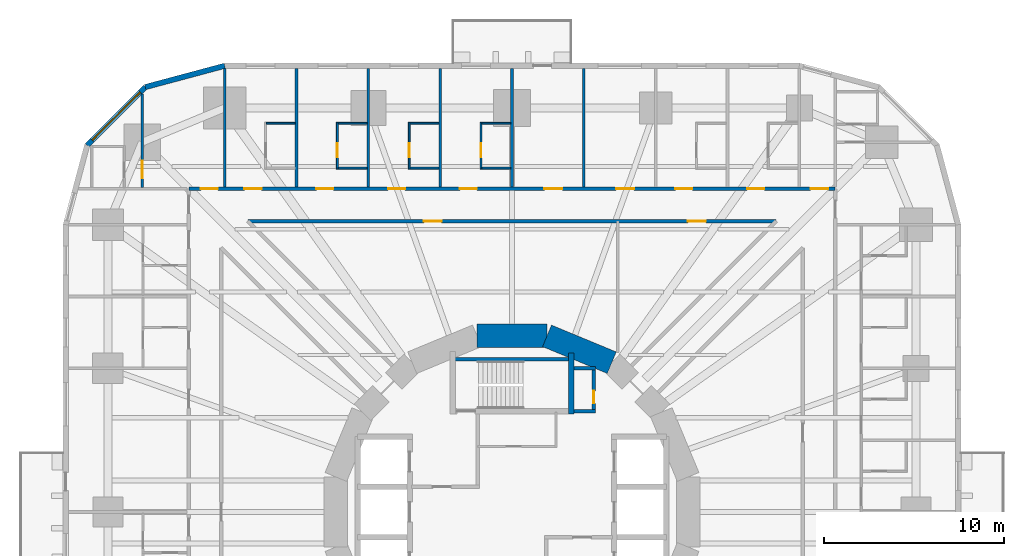
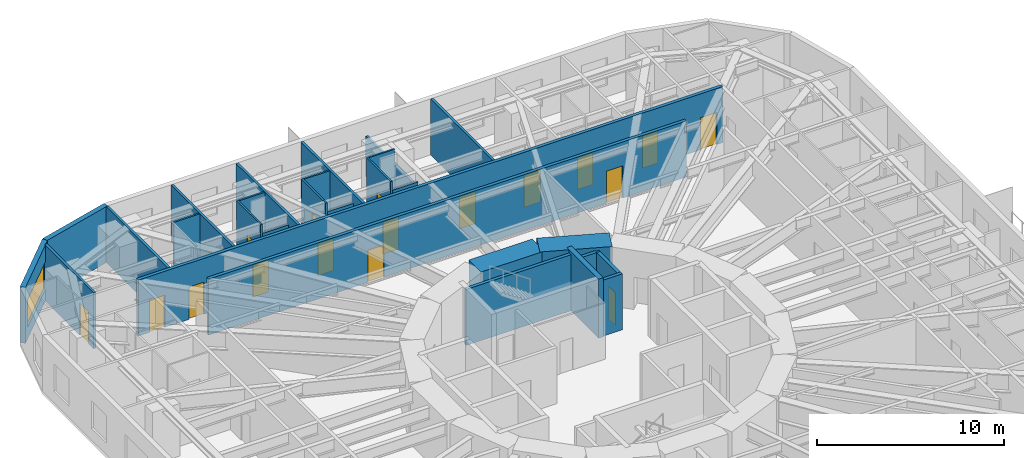
# One storey, part 10 of 14: 28 walls, 17 doors, 1 window, 18 openings.
"""IFC4 building model written with IfcOpenShell, lengths in metres."""

import ifcopenshell
import ifcopenshell.guid

model = None  # the IFC model being written
_history = None  # IfcOwnerHistory: only IFC2X3 demands one
_inside = {}  # id of a spatial element -> (the spatial element, [elements in it])
_under = {}  # id of a project, library or spatial element -> (it, [spatial elements below it])
_declared = {}  # id of a project -> (the project, [libraries it declares])
_typed = {}  # id of a type object -> (the type object, [elements of that type])
_made_of = {}  # id of a material, layer set ... -> (it, [elements and type objects made of it])


def new_model(schema):
    """Start an empty IFC model of exactly this schema.

    Asked for "IFC4X3", IfcOpenShell would pick the latest addendum, in which some entities
    have other attributes; the version numbers below select the first issue.
    IFC2X3 requires an IfcOwnerHistory on every rooted entity: one is made here for all.
    """
    global model, _history
    if schema == "IFC4X3":
        model = ifcopenshell.file(schema_version=(4, 3, 0, 0))
    else:
        model = ifcopenshell.file(schema=schema)
    _inside.clear()
    _under.clear()
    _declared.clear()
    _typed.clear()
    _made_of.clear()
    _history = None
    if model.schema == "IFC2X3":
        org = make("IfcOrganization", Name="unknown")
        user = make(
            "IfcPersonAndOrganization",
            ThePerson=make("IfcPerson", FamilyName="unknown"),
            TheOrganization=org,
        )
        app = make(
            "IfcApplication",
            ApplicationDeveloper=org,
            Version="unknown",
            ApplicationFullName="unknown",
            ApplicationIdentifier="unknown",
        )
        _history = make(
            "IfcOwnerHistory",
            OwningUser=user,
            OwningApplication=app,
            ChangeAction="ADDED",
            CreationDate=0,
        )
    return model


def make(cls, **values):
    """One entity of the class cls with the attributes given. An attribute that is None is left unset."""
    return model.create_entity(
        cls, **{name: value for name, value in values.items() if value is not None}
    )


def rooted(cls, **values):
    """An entity with a GlobalId (a new one), such as an element, a storey or a relation."""
    return make(cls, GlobalId=ifcopenshell.guid.new(), OwnerHistory=_history, **values)


def si_unit(unit_type, name, prefix=None):
    """IfcSIUnit, for example si_unit("LENGTHUNIT", "METRE", prefix="MILLI")."""
    return make("IfcSIUnit", UnitType=unit_type, Prefix=prefix, Name=name)


def assignment(units):
    """IfcUnitAssignment: the units of a project."""
    return None if units is None else make("IfcUnitAssignment", Units=units)


def point(xyz):
    """IfcCartesianPoint."""
    return None if xyz is None else make("IfcCartesianPoint", Coordinates=xyz)


def direction(xyz):
    """IfcDirection."""
    return None if xyz is None else make("IfcDirection", DirectionRatios=xyz)


def frame(location, z_axis=None, x_axis=None):
    """IfcAxis2Placement3D, a coordinate frame: its origin and axes. An axis left out is left unset."""
    return make(
        "IfcAxis2Placement3D",
        Location=point(location),
        Axis=direction(z_axis),
        RefDirection=direction(x_axis),
    )


def frame_2d(location, x_axis=None):
    """IfcAxis2Placement2D, a coordinate frame in the plane: its origin and x axis."""
    return make(
        "IfcAxis2Placement2D", Location=point(location), RefDirection=direction(x_axis)
    )


def origin():
    """The frame at (0, 0, 0) with its axes left unset."""
    return frame((0.0, 0.0, 0.0))


def place(relative_to, where):
    """IfcLocalPlacement: puts the frame where relative to a parent placement (None: the world)."""
    return make(
        "IfcLocalPlacement", PlacementRelTo=relative_to, RelativePlacement=where
    )


def context(
    kind, dimensions, precision=None, world=None, true_north=None, identifier=None
):
    """IfcGeometricRepresentationContext, for example the 3D "Model" context."""
    return make(
        "IfcGeometricRepresentationContext",
        ContextIdentifier=identifier,
        ContextType=kind,
        CoordinateSpaceDimension=dimensions,
        Precision=precision,
        WorldCoordinateSystem=world,
        TrueNorth=true_north,
    )


def subcontext(parent, identifier, kind, view, scale=None):
    """IfcGeometricRepresentationSubContext, for example "Body" below "Model"."""
    return make(
        "IfcGeometricRepresentationSubContext",
        ContextIdentifier=identifier,
        ContextType=kind,
        ParentContext=parent,
        TargetScale=scale,
        TargetView=view,
    )


def project(units=None, contexts=None):
    """IfcProject with its units and contexts."""
    return rooted(
        "IfcProject",
        Name="project",
        RepresentationContexts=contexts,
        UnitsInContext=assignment(units),
    )


def spatial(cls, under=None, at=None, **own):
    """A site, building, storey or space (cls), placed at a placement, below another one or the project."""
    s = rooted(cls, ObjectPlacement=at, **own)
    if under is not None:
        _under.setdefault(under.id(), (under, []))[1].append(s)
    return s


def profile(cls, at=None, kind="AREA", **sizes):
    """A parametric profile (cls). Its sizes go by their IFC names, for example OverallWidth=200.0."""
    return make(cls, ProfileType=kind, Position=at, **sizes)


def rectangle(**sizes):
    """IfcRectangleProfileDef."""
    return profile("IfcRectangleProfileDef", **sizes)


def extrude(swept, where, along, depth):
    """IfcExtrudedAreaSolid: the profile swept, set in the frame where, extruded along a direction by depth."""
    return make(
        "IfcExtrudedAreaSolid",
        SweptArea=swept,
        Position=where,
        ExtrudedDirection=direction(along),
        Depth=depth,
    )


def shape(context_of_items, identifier, shape_type, items):
    """IfcShapeRepresentation: the items that make up one representation, for example the "Body"."""
    return make(
        "IfcShapeRepresentation",
        ContextOfItems=context_of_items,
        RepresentationIdentifier=identifier,
        RepresentationType=shape_type,
        Items=items,
    )


def material(Name=None, Category=None):
    """IfcMaterial."""
    return make("IfcMaterial", Name=Name, Category=Category)


def layer(
    of_material, thickness, ventilated=None, Name=None, Category=None, Priority=None
):
    """IfcMaterialLayer: one layer of a wall or slab, of a material (None: an air gap)."""
    return make(
        "IfcMaterialLayer",
        Material=of_material,
        LayerThickness=thickness,
        IsVentilated=ventilated,
        Name=Name,
        Category=Category,
        Priority=Priority,
    )


def layer_set(layers, Name=None):
    """IfcMaterialLayerSet."""
    return make("IfcMaterialLayerSet", MaterialLayers=layers, LayerSetName=Name)


def made_of(thing, what):
    """Note that an element or type object is made of a material, layer set ...; save() writes the relation."""
    if what is not None:
        _made_of.setdefault(what.id(), (what, []))[1].append(thing)
    return thing


def type_object(cls, material=None, **own):
    """A type object (cls), such as IfcWallType, which elements share."""
    return made_of(rooted(cls, **own), material)


def element(
    cls,
    number,
    at=None,
    inside=None,
    cuts=None,
    type_object=None,
    material=None,
    context=None,
    identifier="Body",
    shape_type=None,
    held_by="IfcProductDefinitionShape",
    body=None,
    shapes=None,
    **own,
):
    """One element of the class cls, such as IfcWall. Its Tag is "e" and its number.

    at: its placement. inside: the storey or other place that contains it. cuts: it is an
    opening in that element (IfcRelVoidsElement). A single representation is given by context,
    identifier, shape_type and body (its items); several are given by shapes. held_by: the class
    of the entity that holds the representations. save() writes the other relations.
    """
    e = rooted(cls, Tag="e%d" % number, ObjectPlacement=at, **own)
    if body is not None:
        shapes = [shape(context, identifier, shape_type, body)]
    if shapes is not None:
        e.Representation = make(held_by, Representations=shapes)
    if inside is not None:
        _inside.setdefault(inside.id(), (inside, []))[1].append(e)
    if cuts is not None:
        rooted(
            "IfcRelVoidsElement", RelatingBuildingElement=cuts, RelatedOpeningElement=e
        )
    if type_object is not None:
        _typed.setdefault(type_object.id(), (type_object, []))[1].append(e)
    return made_of(e, material)


def fill(opening, filler):
    """IfcRelFillsElement: the door or window that sits in an opening."""
    return rooted(
        "IfcRelFillsElement",
        RelatingOpeningElement=opening,
        RelatedBuildingElement=filler,
    )


def aggregate(whole, parts):
    """IfcRelAggregates: a whole, such as a stair, and the parts it consists of."""
    return rooted("IfcRelAggregates", RelatingObject=whole, RelatedObjects=parts)


def save(model, path):
    """Write the relations noted so far, then the file.

    IfcRelAggregates (storeys below a building ...), IfcRelContainedInSpatialStructure (elements
    in a storey), IfcRelDefinesByType, IfcRelAssociatesMaterial and IfcRelDeclares: one each for
    every whole, place, type object, material and project.
    """
    for whole, parts in _under.values():
        aggregate(whole, parts)
    for where, things in _inside.values():
        rooted(
            "IfcRelContainedInSpatialStructure",
            RelatedElements=things,
            RelatingStructure=where,
        )
    for kind, things in _typed.values():
        rooted("IfcRelDefinesByType", RelatedObjects=things, RelatingType=kind)
    for what, things in _made_of.values():
        rooted("IfcRelAssociatesMaterial", RelatedObjects=things, RelatingMaterial=what)
    for by, libraries in _declared.values():
        rooted("IfcRelDeclares", RelatingContext=by, RelatedDefinitions=libraries)
    model.write(path)


model = new_model("IFC4")

# Units and contexts
model_context = context("Model", 3, precision=1e-05, world=origin(), true_north=direction((0.0, 1.0)))
body_context = subcontext(model_context, "Body", "Model", "MODEL_VIEW")
ifc_project = project(units=[si_unit("LENGTHUNIT", "METRE"), si_unit("AREAUNIT", "SQUARE_METRE"), si_unit("VOLUMEUNIT", "CUBIC_METRE"), si_unit("PLANEANGLEUNIT", "RADIAN"), si_unit("MASSUNIT", "GRAM", prefix="KILO")], contexts=[model_context])

# Site, building, storey
site_placement = place(None, origin())
site = spatial("IfcSite", under=ifc_project, at=site_placement, CompositionType="ELEMENT")
building_placement = place(site_placement, origin())
building = spatial("IfcBuilding", under=site, at=building_placement, Name="Nakasero Lantern House", CompositionType="ELEMENT")
storey_placement = place(building_placement, frame((0.0, 0.0, 50.64990234375)))
storey = spatial("IfcBuildingStorey", under=building, at=storey_placement, Name="L12", CompositionType="ELEMENT", Elevation=50.64990234375)

# Walls
ifc_material_1 = material(Name="Concrete C50/60", Category="concrete")
ifc_layer_1 = layer(ifc_material_1, 0.300048828125)
ifc_layer_set_1 = layer_set([ifc_layer_1], Name="Core inner wall 300")
wall_type_1 = type_object("IfcWallType", Name="Core inner wall 300", PredefinedType="SHEAR", material=ifc_layer_set_1)
wall_1_placement = place(storey_placement, frame((3.300048828125, 5.449951171875, 0.0), z_axis=(0.0, 0.0, 1.0), x_axis=(0.0, 1.0, 0.0)))
element("IfcWall", 1, at=wall_1_placement, inside=storey, type_object=wall_type_1, Name="Core inner wall L12 SNE", PredefinedType="SHEAR", context=body_context, shape_type="SweptSolid", body=[
    extrude(rectangle(XDim=3.400146484375, YDim=0.300048828125, at=frame_2d((1.7001953125, 0.0))), origin(), (0.0, 0.0, 1.0), 3.85009765625),
])
ifc_material_2 = material(Name="Concrete C50/60", Category="concrete")
ifc_layer_2 = layer(ifc_material_2, 1.300048828125)
ifc_layer_set_2 = layer_set([ifc_layer_2], Name="Core wall 1300")
wall_type_2 = type_object("IfcWallType", Name="Core wall 1300", PredefinedType="SHEAR", material=ifc_layer_set_2)
for number, where, z_axis, x_axis, name in (
    (2, (5.5556640625, 8.314697265625, 0.0), (0.0, 0.0, 1.0), (-0.923876507187, 0.382690736062, 0.0), "Core wall L12 facet 3"),
    (3, (1.950927734375, 9.807861328125, 0.0), (0.0, 0.0, 1.0), (-1.0, 0.0, 0.0), "Core wall L12 facet 4"),
):
    element("IfcWall", number, at=place(storey_placement, frame(where, z_axis=z_axis, x_axis=x_axis)), inside=storey, type_object=wall_type_2, Name=name, PredefinedType="SHEAR", context=body_context, shape_type="SweptSolid", body=[
        extrude(rectangle(XDim=3.90185546875, YDim=1.300048828125, at=frame_2d((1.950927734375, 0.0))), origin(), (0.0, 0.0, 1.0), 3.85009765625),
    ])

# Wall, openings, doors
ifc_material_3 = material(Name="Blockwork", Category="masonry")
ifc_layer_3 = layer(ifc_material_3, 0.199951171875)
ifc_layer_set_3 = layer_set([ifc_layer_3], Name="Corridor wall 200")
wall_type_3 = type_object("IfcWallType", Name="Corridor wall 200", PredefinedType="PARTITIONING", material=ifc_layer_set_3)
wall_2_placement = place(storey_placement, frame((18.0, 18.0, 0.0), z_axis=(0.0, 0.0, 1.0), x_axis=(-1.0, 0.0, 0.0)))
wall_2 = element("IfcWall", 4, at=wall_2_placement, inside=storey, type_object=wall_type_3, Name="Corridor wall L12 CW1", PredefinedType="PARTITIONING", context=body_context, shape_type="SweptSolid", body=[
    extrude(rectangle(XDim=36.0, YDim=0.199951171875, at=frame_2d((18.0, 0.0))), origin(), (0.0, 0.0, 1.0), 3.650146484375),
])
opening_1_placement = place(wall_2_placement, frame((0.375, 0.0, 0.0)))
opening_1 = element("IfcOpeningElement", 5, at=opening_1_placement, cuts=wall_2, Name="Opening D07", PredefinedType="OPENING", context=body_context, shape_type="SweptSolid", body=[
    extrude(rectangle(XDim=1.0, YDim=2.10009765625, at=frame_2d((0.5, 1.050048828125))), frame((0.0, 0.119873046875, 0.0), z_axis=(0.0, -1.0, 0.0), x_axis=(1.0, 0.0, 0.0)), (0.0, 0.0, 1.0), 0.239990234375),
])
opening_2_placement = place(wall_2_placement, frame((3.949951171875, 0.0, 0.0)))
opening_2 = element("IfcOpeningElement", 6, at=opening_2_placement, cuts=wall_2, Name="Opening D01", PredefinedType="OPENING", context=body_context, shape_type="SweptSolid", body=[
    extrude(rectangle(XDim=0.949951171875, YDim=2.10009765625, at=frame_2d((0.47509765625, 1.050048828125))), frame((0.0, 0.119873046875, 0.0), z_axis=(0.0, -1.0, 0.0), x_axis=(1.0, 0.0, 0.0)), (0.0, 0.0, 1.0), 0.239990234375),
])
opening_3_placement = place(wall_2_placement, frame((7.949951171875, 0.0, 0.0)))
opening_3 = element("IfcOpeningElement", 7, at=opening_3_placement, cuts=wall_2, Name="Opening D01", PredefinedType="OPENING", context=body_context, shape_type="SweptSolid", body=[
    extrude(rectangle(XDim=0.949951171875, YDim=2.10009765625, at=frame_2d((0.47509765625, 1.050048828125))), frame((0.0, 0.119873046875, 0.0), z_axis=(0.0, -1.0, 0.0), x_axis=(1.0, 0.0, 0.0)), (0.0, 0.0, 1.0), 0.239990234375),
])
opening_4_placement = place(wall_2_placement, frame((19.949951171875, 0.0, 0.0)))
opening_4 = element("IfcOpeningElement", 8, at=opening_4_placement, cuts=wall_2, Name="Opening D01", PredefinedType="OPENING", context=body_context, shape_type="SweptSolid", body=[
    extrude(rectangle(XDim=0.949951171875, YDim=2.10009765625, at=frame_2d((0.47509765625, 1.050048828125))), frame((0.0, 0.119873046875, 0.0), z_axis=(0.0, -1.0, 0.0), x_axis=(1.0, 0.0, 0.0)), (0.0, 0.0, 1.0), 0.239990234375),
])
opening_5_placement = place(wall_2_placement, frame((23.949951171875, 0.0, 0.0)))
opening_5 = element("IfcOpeningElement", 9, at=opening_5_placement, cuts=wall_2, Name="Opening D01", PredefinedType="OPENING", context=body_context, shape_type="SweptSolid", body=[
    extrude(rectangle(XDim=0.949951171875, YDim=2.10009765625, at=frame_2d((0.47509765625, 1.050048828125))), frame((0.0, 0.119873046875, 0.0), z_axis=(0.0, -1.0, 0.0), x_axis=(1.0, 0.0, 0.0)), (0.0, 0.0, 1.0), 0.239990234375),
])
opening_6_placement = place(wall_2_placement, frame((27.949951171875, 0.0, 0.0)))
opening_6 = element("IfcOpeningElement", 10, at=opening_6_placement, cuts=wall_2, Name="Opening D01", PredefinedType="OPENING", context=body_context, shape_type="SweptSolid", body=[
    extrude(rectangle(XDim=0.949951171875, YDim=2.10009765625, at=frame_2d((0.47509765625, 1.050048828125))), frame((0.0, 0.119873046875, 0.0), z_axis=(0.0, -1.0, 0.0), x_axis=(1.0, 0.0, 0.0)), (0.0, 0.0, 1.0), 0.239990234375),
])
opening_7_placement = place(wall_2_placement, frame((31.949951171875, 0.0, 0.0)))
opening_7 = element("IfcOpeningElement", 11, at=opening_7_placement, cuts=wall_2, Name="Opening D01", PredefinedType="OPENING", context=body_context, shape_type="SweptSolid", body=[
    extrude(rectangle(XDim=0.949951171875, YDim=2.10009765625, at=frame_2d((0.47509765625, 1.050048828125))), frame((0.0, 0.119873046875, 0.0), z_axis=(0.0, -1.0, 0.0), x_axis=(1.0, 0.0, 0.0)), (0.0, 0.0, 1.0), 0.239990234375),
])
opening_8_placement = place(wall_2_placement, frame((34.375, 0.0, 0.0)))
opening_8 = element("IfcOpeningElement", 12, at=opening_8_placement, cuts=wall_2, Name="Opening D01", PredefinedType="OPENING", context=body_context, shape_type="SweptSolid", body=[
    extrude(rectangle(XDim=0.949951171875, YDim=2.10009765625, at=frame_2d((0.47509765625, 1.050048828125))), frame((0.0, 0.119873046875, 0.0), z_axis=(0.0, -1.0, 0.0), x_axis=(1.0, 0.0, 0.0)), (0.0, 0.0, 1.0), 0.239990234375),
])
opening_9_placement = place(wall_2_placement, frame((11.199951171875, 0.0, 0.0)))
opening_9 = element("IfcOpeningElement", 13, at=opening_9_placement, cuts=wall_2, Name="Opening D03", PredefinedType="OPENING", context=body_context, shape_type="SweptSolid", body=[
    extrude(rectangle(XDim=1.0, YDim=2.10009765625, at=frame_2d((0.5, 1.050048828125))), frame((0.0, 0.119873046875, 0.0), z_axis=(0.0, -1.0, 0.0), x_axis=(1.0, 0.0, 0.0)), (0.0, 0.0, 1.0), 0.239990234375),
])
opening_10_placement = place(wall_2_placement, frame((15.199951171875, 0.0, 0.0)))
opening_10 = element("IfcOpeningElement", 14, at=opening_10_placement, cuts=wall_2, Name="Opening D03", PredefinedType="OPENING", context=body_context, shape_type="SweptSolid", body=[
    extrude(rectangle(XDim=1.0, YDim=2.10009765625, at=frame_2d((0.5, 1.050048828125))), frame((0.0, 0.119873046875, 0.0), z_axis=(0.0, -1.0, 0.0), x_axis=(1.0, 0.0, 0.0)), (0.0, 0.0, 1.0), 0.239990234375),
])
ifc_material_4 = material(Name="Timber C24", Category="wood")
door_type_1 = type_object("IfcDoorType", Name="Bedroom door FD30S 950", OperationType="SINGLE_SWING_LEFT", PredefinedType="DOOR", material=ifc_material_4)
door_1_placement = place(opening_2_placement, origin())
door_1 = element("IfcDoor", 15, at=door_1_placement, inside=storey, type_object=door_type_1, Name="Door L12 D1-01", OperationType="SINGLE_SWING_LEFT", OverallHeight=2.10009765625, OverallWidth=0.949951171875, PredefinedType="DOOR", context=body_context, shape_type="SweptSolid", body=[
    extrude(rectangle(XDim=0.949951171875, YDim=2.10009765625, at=frame_2d((0.47509765625, 1.050048828125))), frame((0.0, 0.02490234375, 0.0), z_axis=(0.0, -1.0, 0.0), x_axis=(1.0, 0.0, 0.0)), (0.0, 0.0, 1.0), 0.050048828125),
])
fill(opening_2, door_1)
door_2_placement = place(opening_3_placement, origin())
door_2 = element("IfcDoor", 16, at=door_2_placement, inside=storey, type_object=door_type_1, Name="Door L12 D1-02", OperationType="SINGLE_SWING_LEFT", OverallHeight=2.10009765625, OverallWidth=0.949951171875, PredefinedType="DOOR", context=body_context, shape_type="SweptSolid", body=[
    extrude(rectangle(XDim=0.949951171875, YDim=2.10009765625, at=frame_2d((0.47509765625, 1.050048828125))), frame((0.0, 0.02490234375, 0.0), z_axis=(0.0, -1.0, 0.0), x_axis=(1.0, 0.0, 0.0)), (0.0, 0.0, 1.0), 0.050048828125),
])
fill(opening_3, door_2)
door_3_placement = place(opening_4_placement, origin())
door_3 = element("IfcDoor", 17, at=door_3_placement, inside=storey, type_object=door_type_1, Name="Door L12 D1-05", OperationType="SINGLE_SWING_RIGHT", OverallHeight=2.10009765625, OverallWidth=0.949951171875, PredefinedType="DOOR", context=body_context, shape_type="SweptSolid", body=[
    extrude(rectangle(XDim=0.949951171875, YDim=2.10009765625, at=frame_2d((0.47509765625, 1.050048828125))), frame((0.0, 0.02490234375, 0.0), z_axis=(0.0, -1.0, 0.0), x_axis=(1.0, 0.0, 0.0)), (0.0, 0.0, 1.0), 0.050048828125),
])
fill(opening_4, door_3)
door_4_placement = place(opening_5_placement, origin())
door_4 = element("IfcDoor", 18, at=door_4_placement, inside=storey, type_object=door_type_1, Name="Door L12 D1-06", OperationType="SINGLE_SWING_RIGHT", OverallHeight=2.10009765625, OverallWidth=0.949951171875, PredefinedType="DOOR", context=body_context, shape_type="SweptSolid", body=[
    extrude(rectangle(XDim=0.949951171875, YDim=2.10009765625, at=frame_2d((0.47509765625, 1.050048828125))), frame((0.0, 0.02490234375, 0.0), z_axis=(0.0, -1.0, 0.0), x_axis=(1.0, 0.0, 0.0)), (0.0, 0.0, 1.0), 0.050048828125),
])
fill(opening_5, door_4)
door_5_placement = place(opening_6_placement, origin())
door_5 = element("IfcDoor", 19, at=door_5_placement, inside=storey, type_object=door_type_1, Name="Door L12 D1-07", OperationType="SINGLE_SWING_RIGHT", OverallHeight=2.10009765625, OverallWidth=0.949951171875, PredefinedType="DOOR", context=body_context, shape_type="SweptSolid", body=[
    extrude(rectangle(XDim=0.949951171875, YDim=2.10009765625, at=frame_2d((0.47509765625, 1.050048828125))), frame((0.0, 0.02490234375, 0.0), z_axis=(0.0, -1.0, 0.0), x_axis=(1.0, 0.0, 0.0)), (0.0, 0.0, 1.0), 0.050048828125),
])
fill(opening_6, door_5)
door_6_placement = place(opening_7_placement, origin())
door_6 = element("IfcDoor", 20, at=door_6_placement, inside=storey, type_object=door_type_1, Name="Door L12 D1-08", OperationType="SINGLE_SWING_RIGHT", OverallHeight=2.10009765625, OverallWidth=0.949951171875, PredefinedType="DOOR", context=body_context, shape_type="SweptSolid", body=[
    extrude(rectangle(XDim=0.949951171875, YDim=2.10009765625, at=frame_2d((0.47509765625, 1.050048828125))), frame((0.0, 0.02490234375, 0.0), z_axis=(0.0, -1.0, 0.0), x_axis=(1.0, 0.0, 0.0)), (0.0, 0.0, 1.0), 0.050048828125),
])
fill(opening_7, door_6)
door_7_placement = place(opening_8_placement, origin())
door_7 = element("IfcDoor", 21, at=door_7_placement, inside=storey, type_object=door_type_1, Name="Door L12 D1-09", OperationType="SINGLE_SWING_RIGHT", OverallHeight=2.10009765625, OverallWidth=0.949951171875, PredefinedType="DOOR", context=body_context, shape_type="SweptSolid", body=[
    extrude(rectangle(XDim=0.949951171875, YDim=2.10009765625, at=frame_2d((0.47509765625, 1.050048828125))), frame((0.0, 0.02490234375, 0.0), z_axis=(0.0, -1.0, 0.0), x_axis=(1.0, 0.0, 0.0)), (0.0, 0.0, 1.0), 0.050048828125),
])
fill(opening_8, door_7)
ifc_material_5 = material(Name="Timber C24", Category="wood")
door_type_2 = type_object("IfcDoorType", Name="Lounge door FD30S 1000", OperationType="SINGLE_SWING_LEFT", PredefinedType="DOOR", material=ifc_material_5)
door_8_placement = place(opening_9_placement, origin())
door_8 = element("IfcDoor", 22, at=door_8_placement, inside=storey, type_object=door_type_2, Name="Door L12 DK1", OperationType="SINGLE_SWING_LEFT", OverallHeight=2.10009765625, OverallWidth=1.0, PredefinedType="DOOR", context=body_context, shape_type="SweptSolid", body=[
    extrude(rectangle(XDim=1.0, YDim=2.10009765625, at=frame_2d((0.5, 1.050048828125))), frame((0.0, 0.02490234375, 0.0), z_axis=(0.0, -1.0, 0.0), x_axis=(1.0, 0.0, 0.0)), (0.0, 0.0, 1.0), 0.050048828125),
])
fill(opening_9, door_8)
door_9_placement = place(opening_10_placement, origin())
door_9 = element("IfcDoor", 23, at=door_9_placement, inside=storey, type_object=door_type_2, Name="Door L12 DK1-1", OperationType="SINGLE_SWING_LEFT", OverallHeight=2.10009765625, OverallWidth=1.0, PredefinedType="DOOR", context=body_context, shape_type="SweptSolid", body=[
    extrude(rectangle(XDim=1.0, YDim=2.10009765625, at=frame_2d((0.5, 1.050048828125))), frame((0.0, 0.02490234375, 0.0), z_axis=(0.0, -1.0, 0.0), x_axis=(1.0, 0.0, 0.0)), (0.0, 0.0, 1.0), 0.050048828125),
])
fill(opening_10, door_9)
ifc_material_6 = material(Name="Timber C24", Category="wood")
door_type_3 = type_object("IfcDoorType", Name="Room door FD30S 1000", OperationType="SINGLE_SWING_LEFT", PredefinedType="DOOR", material=ifc_material_6)
door_10_placement = place(opening_1_placement, origin())
door_10 = element("IfcDoor", 24, at=door_10_placement, inside=storey, type_object=door_type_3, Name="Door L12 D1-00", OperationType="SINGLE_SWING_LEFT", OverallHeight=2.10009765625, OverallWidth=1.0, PredefinedType="DOOR", context=body_context, shape_type="SweptSolid", body=[
    extrude(rectangle(XDim=1.0, YDim=2.10009765625, at=frame_2d((0.5, 1.050048828125))), frame((0.0, 0.02490234375, 0.0), z_axis=(0.0, -1.0, 0.0), x_axis=(1.0, 0.0, 0.0)), (0.0, 0.0, 1.0), 0.050048828125),
])
fill(opening_1, door_10)

wall_3_placement = place(storey_placement, frame((14.715087890625, 16.199951171875, 0.0), z_axis=(0.0, 0.0, 1.0), x_axis=(-1.0, 0.0, 0.0)))
wall_3 = element("IfcWall", 25, at=wall_3_placement, inside=storey, type_object=wall_type_3, Name="Corridor wall L12 IW1-0", PredefinedType="PARTITIONING", context=body_context, shape_type="SweptSolid", body=[
    extrude(rectangle(XDim=29.43017578125, YDim=0.199951171875, at=frame_2d((14.715087890625, 0.0))), origin(), (0.0, 0.0, 1.0), 3.650146484375),
])
opening_11_placement = place(wall_3_placement, frame((3.91455078125, 0.0, 0.0)))
opening_11 = element("IfcOpeningElement", 26, at=opening_11_placement, cuts=wall_3, Name="Opening D07", PredefinedType="OPENING", context=body_context, shape_type="SweptSolid", body=[
    extrude(rectangle(XDim=1.0, YDim=2.10009765625, at=frame_2d((0.5, 1.050048828125))), frame((0.0, 0.119873046875, 0.0), z_axis=(0.0, -1.0, 0.0), x_axis=(1.0, 0.0, 0.0)), (0.0, 0.0, 1.0), 0.239990234375),
])
opening_12_placement = place(wall_3_placement, frame((18.629638671875, 0.0, 0.0)))
opening_12 = element("IfcOpeningElement", 27, at=opening_12_placement, cuts=wall_3, Name="Opening D07", PredefinedType="OPENING", context=body_context, shape_type="SweptSolid", body=[
    extrude(rectangle(XDim=1.0, YDim=2.10009765625, at=frame_2d((0.5, 1.050048828125))), frame((0.0, 0.119873046875, 0.0), z_axis=(0.0, -1.0, 0.0), x_axis=(1.0, 0.0, 0.0)), (0.0, 0.0, 1.0), 0.239990234375),
])
door_11_placement = place(opening_11_placement, origin())
door_11 = element("IfcDoor", 28, at=door_11_placement, inside=storey, type_object=door_type_3, Name="Door L12 DI2", OperationType="SINGLE_SWING_LEFT", OverallHeight=2.10009765625, OverallWidth=1.0, PredefinedType="DOOR", context=body_context, shape_type="SweptSolid", body=[
    extrude(rectangle(XDim=1.0, YDim=2.10009765625, at=frame_2d((0.5, 1.050048828125))), frame((0.0, 0.02490234375, 0.0), z_axis=(0.0, -1.0, 0.0), x_axis=(1.0, 0.0, 0.0)), (0.0, 0.0, 1.0), 0.050048828125),
])
fill(opening_11, door_11)
door_12_placement = place(opening_12_placement, origin())
door_12 = element("IfcDoor", 29, at=door_12_placement, inside=storey, type_object=door_type_3, Name="Door L12 DI2S", OperationType="SINGLE_SWING_RIGHT", OverallHeight=2.10009765625, OverallWidth=1.0, PredefinedType="DOOR", context=body_context, shape_type="SweptSolid", body=[
    extrude(rectangle(XDim=1.0, YDim=2.10009765625, at=frame_2d((0.5, 1.050048828125))), frame((0.0, 0.02490234375, 0.0), z_axis=(0.0, -1.0, 0.0), x_axis=(1.0, 0.0, 0.0)), (0.0, 0.0, 1.0), 0.050048828125),
])
fill(opening_12, door_12)

# Wall, opening, door
ifc_material_7 = material(Name="Blockwork", Category="masonry")
ifc_layer_4 = layer(ifc_material_7, 0.10009765625)
ifc_layer_set_4 = layer_set([ifc_layer_4], Name="En-suite wall 100")
wall_type_4 = type_object("IfcWallType", Name="En-suite wall 100", PredefinedType="PARTITIONING", material=ifc_layer_set_4)
wall_4_placement = place(storey_placement, frame((-1.72509765625, 19.10009765625, 0.0), z_axis=(0.0, 0.0, 1.0), x_axis=(0.0, 1.0, 0.0)))
wall_4 = element("IfcWall", 30, at=wall_4_placement, inside=storey, type_object=wall_type_4, Name="En-suite wall L12 ES1-05", PredefinedType="PARTITIONING", context=body_context, shape_type="SweptSolid", body=[
    extrude(rectangle(XDim=2.599853515625, YDim=0.10009765625, at=frame_2d((1.2998046875, 0.0))), origin(), (0.0, 0.0, 1.0), 3.650146484375),
])
opening_13_placement = place(wall_4_placement, frame((0.64990234375, 0.0, 0.0)))
opening_13 = element("IfcOpeningElement", 31, at=opening_13_placement, cuts=wall_4, Name="Opening D02", PredefinedType="OPENING", context=body_context, shape_type="SweptSolid", body=[
    extrude(rectangle(XDim=0.800048828125, YDim=2.10009765625, at=frame_2d((0.39990234375, 1.050048828125))), frame((0.0, 0.070068359375, 0.0), z_axis=(0.0, -1.0, 0.0), x_axis=(1.0, 0.0, 0.0)), (0.0, 0.0, 1.0), 0.14013671875),
])
ifc_material_8 = material(Name="Timber C24", Category="wood")
door_type_4 = type_object("IfcDoorType", Name="En-suite door 800", OperationType="SINGLE_SWING_RIGHT", PredefinedType="DOOR", material=ifc_material_8)
door_13_placement = place(opening_13_placement, origin())
door_13 = element("IfcDoor", 32, at=door_13_placement, inside=storey, type_object=door_type_4, Name="Door L12 DE1-05", OperationType="SINGLE_SWING_LEFT", OverallHeight=2.10009765625, OverallWidth=0.800048828125, PredefinedType="DOOR", context=body_context, shape_type="SweptSolid", body=[
    extrude(rectangle(XDim=0.800048828125, YDim=2.10009765625, at=frame_2d((0.39990234375, 1.050048828125))), frame((0.0, 0.02490234375, 0.0), z_axis=(0.0, -1.0, 0.0), x_axis=(1.0, 0.0, 0.0)), (0.0, 0.0, 1.0), 0.050048828125),
])
fill(opening_13, door_13)

# Walls
wall_5_placement = place(storey_placement, frame((-0.074951171875, 21.64990234375, 0.0), z_axis=(0.0, 0.0, 1.0), x_axis=(-1.0, 0.0, 0.0)))
element("IfcWall", 33, at=wall_5_placement, inside=storey, type_object=wall_type_4, Name="En-suite wall L12 EE1-05", PredefinedType="PARTITIONING", context=body_context, shape_type="SweptSolid", body=[
    extrude(rectangle(XDim=1.60009765625, YDim=0.10009765625, at=frame_2d((0.800048828125, 0.0))), origin(), (0.0, 0.0, 1.0), 3.650146484375),
])
wall_6_placement = place(storey_placement, frame((-0.074951171875, 19.14990234375, 0.0), z_axis=(0.0, 0.0, 1.0), x_axis=(-1.0, 0.0, 0.0)))
element("IfcWall", 34, at=wall_6_placement, inside=storey, type_object=wall_type_4, Name="En-suite wall L12 EI1-05", PredefinedType="PARTITIONING", context=body_context, shape_type="SweptSolid", body=[
    extrude(rectangle(XDim=1.60009765625, YDim=0.10009765625, at=frame_2d((0.800048828125, 0.0))), origin(), (0.0, 0.0, 1.0), 3.037841796875),
])

# Wall, opening, door
wall_7_placement = place(storey_placement, frame((-5.72509765625, 19.10009765625, 0.0), z_axis=(0.0, 0.0, 1.0), x_axis=(0.0, 1.0, 0.0)))
wall_7 = element("IfcWall", 35, at=wall_7_placement, inside=storey, type_object=wall_type_4, Name="En-suite wall L12 ES1-06", PredefinedType="PARTITIONING", context=body_context, shape_type="SweptSolid", body=[
    extrude(rectangle(XDim=2.599853515625, YDim=0.10009765625, at=frame_2d((1.2998046875, 0.0))), origin(), (0.0, 0.0, 1.0), 3.650146484375),
])
opening_14_placement = place(wall_7_placement, frame((0.64990234375, 0.0, 0.0)))
opening_14 = element("IfcOpeningElement", 36, at=opening_14_placement, cuts=wall_7, Name="Opening D02", PredefinedType="OPENING", context=body_context, shape_type="SweptSolid", body=[
    extrude(rectangle(XDim=0.800048828125, YDim=2.10009765625, at=frame_2d((0.39990234375, 1.050048828125))), frame((0.0, 0.070068359375, 0.0), z_axis=(0.0, -1.0, 0.0), x_axis=(1.0, 0.0, 0.0)), (0.0, 0.0, 1.0), 0.14013671875),
])
door_14_placement = place(opening_14_placement, origin())
door_14 = element("IfcDoor", 37, at=door_14_placement, inside=storey, type_object=door_type_4, Name="Door L12 DE1-06", OperationType="SINGLE_SWING_LEFT", OverallHeight=2.10009765625, OverallWidth=0.800048828125, PredefinedType="DOOR", context=body_context, shape_type="SweptSolid", body=[
    extrude(rectangle(XDim=0.800048828125, YDim=2.10009765625, at=frame_2d((0.39990234375, 1.050048828125))), frame((0.0, 0.02490234375, 0.0), z_axis=(0.0, -1.0, 0.0), x_axis=(1.0, 0.0, 0.0)), (0.0, 0.0, 1.0), 0.050048828125),
])
fill(opening_14, door_14)

# Walls
wall_8_placement = place(storey_placement, frame((-4.074951171875, 21.64990234375, 0.0), z_axis=(0.0, 0.0, 1.0), x_axis=(-1.0, 0.0, 0.0)))
element("IfcWall", 38, at=wall_8_placement, inside=storey, type_object=wall_type_4, Name="En-suite wall L12 EE1-06", PredefinedType="PARTITIONING", context=body_context, shape_type="SweptSolid", body=[
    extrude(rectangle(XDim=1.60009765625, YDim=0.10009765625, at=frame_2d((0.800048828125, 0.0))), origin(), (0.0, 0.0, 1.0), 3.650146484375),
])
wall_9_placement = place(storey_placement, frame((-4.074951171875, 19.14990234375, 0.0), z_axis=(0.0, 0.0, 1.0), x_axis=(-1.0, 0.0, 0.0)))
element("IfcWall", 39, at=wall_9_placement, inside=storey, type_object=wall_type_4, Name="En-suite wall L12 EI1-06", PredefinedType="PARTITIONING", context=body_context, shape_type="SweptSolid", body=[
    extrude(rectangle(XDim=1.60009765625, YDim=0.10009765625, at=frame_2d((0.800048828125, 0.0))), origin(), (0.0, 0.0, 1.0), 3.037841796875),
])

# Wall, opening, door
wall_10_placement = place(storey_placement, frame((-9.72509765625, 19.10009765625, 0.0), z_axis=(0.0, 0.0, 1.0), x_axis=(0.0, 1.0, 0.0)))
wall_10 = element("IfcWall", 40, at=wall_10_placement, inside=storey, type_object=wall_type_4, Name="En-suite wall L12 ES1-07", PredefinedType="PARTITIONING", context=body_context, shape_type="SweptSolid", body=[
    extrude(rectangle(XDim=2.599853515625, YDim=0.10009765625, at=frame_2d((1.2998046875, 0.0))), origin(), (0.0, 0.0, 1.0), 3.650146484375),
])
opening_15_placement = place(wall_10_placement, frame((0.64990234375, 0.0, 0.0)))
opening_15 = element("IfcOpeningElement", 41, at=opening_15_placement, cuts=wall_10, Name="Opening D02", PredefinedType="OPENING", context=body_context, shape_type="SweptSolid", body=[
    extrude(rectangle(XDim=0.800048828125, YDim=2.10009765625, at=frame_2d((0.39990234375, 1.050048828125))), frame((0.0, 0.070068359375, 0.0), z_axis=(0.0, -1.0, 0.0), x_axis=(1.0, 0.0, 0.0)), (0.0, 0.0, 1.0), 0.14013671875),
])
door_15_placement = place(opening_15_placement, origin())
door_15 = element("IfcDoor", 42, at=door_15_placement, inside=storey, type_object=door_type_4, Name="Door L12 DE1-07", OperationType="SINGLE_SWING_LEFT", OverallHeight=2.10009765625, OverallWidth=0.800048828125, PredefinedType="DOOR", context=body_context, shape_type="SweptSolid", body=[
    extrude(rectangle(XDim=0.800048828125, YDim=2.10009765625, at=frame_2d((0.39990234375, 1.050048828125))), frame((0.0, 0.02490234375, 0.0), z_axis=(0.0, -1.0, 0.0), x_axis=(1.0, 0.0, 0.0)), (0.0, 0.0, 1.0), 0.050048828125),
])
fill(opening_15, door_15)

# Walls
wall_11_placement = place(storey_placement, frame((-8.074951171875, 21.64990234375, 0.0), z_axis=(0.0, 0.0, 1.0), x_axis=(-1.0, 0.0, 0.0)))
element("IfcWall", 43, at=wall_11_placement, inside=storey, type_object=wall_type_4, Name="En-suite wall L12 EE1-07", PredefinedType="PARTITIONING", context=body_context, shape_type="SweptSolid", body=[
    extrude(rectangle(XDim=1.60009765625, YDim=0.10009765625, at=frame_2d((0.800048828125, 0.0))), origin(), (0.0, 0.0, 1.0), 3.650146484375),
])
wall_12_placement = place(storey_placement, frame((-8.074951171875, 19.14990234375, 0.0), z_axis=(0.0, 0.0, 1.0), x_axis=(-1.0, 0.0, 0.0)))
element("IfcWall", 44, at=wall_12_placement, inside=storey, type_object=wall_type_4, Name="En-suite wall L12 EI1-07", PredefinedType="PARTITIONING", context=body_context, shape_type="SweptSolid", body=[
    extrude(rectangle(XDim=1.60009765625, YDim=0.10009765625, at=frame_2d((0.800048828125, 0.0))), origin(), (0.0, 0.0, 1.0), 3.037841796875),
])
wall_13_placement = place(storey_placement, frame((-12.074951171875, 21.64990234375, 0.0), z_axis=(0.0, 0.0, 1.0), x_axis=(-1.0, 0.0, 0.0)))
element("IfcWall", 45, at=wall_13_placement, inside=storey, type_object=wall_type_4, Name="En-suite wall L12 EE1-08", PredefinedType="PARTITIONING", context=body_context, shape_type="SweptSolid", body=[
    extrude(rectangle(XDim=1.60009765625, YDim=0.10009765625, at=frame_2d((0.800048828125, 0.0))), origin(), (0.0, 0.0, 1.0), 3.650146484375),
])
ifc_material_9 = material(Name="Aluminium rainscreen on blockwork", Category="masonry")
ifc_layer_5 = layer(ifc_material_9, 0.300048828125)
ifc_layer_set_5 = layer_set([ifc_layer_5], Name="Facade wall 300")
wall_type_5 = type_object("IfcWallType", Name="Facade wall 300", PredefinedType="SOLIDWALL", material=ifc_layer_set_5)
wall_14_placement = place(storey_placement, frame((-16.0, 24.85009765625, 0.0), z_axis=(0.0, 0.0, 1.0), x_axis=(-0.965920218567, -0.258839972501, 0.0)))
element("IfcWall", 46, at=wall_14_placement, inside=storey, type_object=wall_type_5, Name="Facade wall L12 FW1C1", PredefinedType="SOLIDWALL", context=body_context, shape_type="SweptSolid", body=[
    extrude(rectangle(XDim=4.5810546875, YDim=0.300048828125, at=frame_2d((2.29052734375, 0.0))), origin(), (0.0, 0.0, 1.0), 3.650146484375),
])

# Wall, opening, window
wall_15_placement = place(storey_placement, frame((-20.425048828125, 23.664306640625, 0.0), z_axis=(0.0, 0.0, 1.0), x_axis=(-0.707106781187, -0.707106781187, 0.0)))
wall_15 = element("IfcWall", 47, at=wall_15_placement, inside=storey, type_object=wall_type_5, Name="Facade wall L12 FW1C2", PredefinedType="SOLIDWALL", context=body_context, shape_type="SweptSolid", body=[
    extrude(rectangle(XDim=4.5810546875, YDim=0.300048828125, at=frame_2d((2.29052734375, 0.0))), origin(), (0.0, 0.0, 1.0), 3.650146484375),
])
opening_16_placement = place(wall_15_placement, frame((0.39990234375, 0.0, 0.75)))
opening_16 = element("IfcOpeningElement", 48, at=opening_16_placement, cuts=wall_15, Name="Opening W237", PredefinedType="OPENING", context=body_context, shape_type="SweptSolid", body=[
    extrude(rectangle(XDim=3.781005859375, YDim=1.800048828125, at=frame_2d((1.890625, 0.89990234375))), frame((0.0, 0.169921875, 0.0), z_axis=(0.0, -1.0, 0.0), x_axis=(1.0, 0.0, 0.0)), (0.0, 0.0, 1.0), 0.340087890625),
])
ifc_material_10 = material(Name="Aluminium 6063-T6 and glass", Category="aluminium")
window_type = type_object("IfcWindowType", Name="Corner window 3781x1800", PartitioningType="SINGLE_PANEL", PredefinedType="WINDOW", material=ifc_material_10)
window_placement = place(opening_16_placement, origin())
window = element("IfcWindow", 49, at=window_placement, inside=storey, type_object=window_type, Name="Window L12 WC1", OverallHeight=1.800048828125, OverallWidth=3.781005859375, PartitioningType="SINGLE_PANEL", PredefinedType="WINDOW", context=body_context, shape_type="SweptSolid", body=[
    extrude(rectangle(XDim=3.781005859375, YDim=1.800048828125, at=frame_2d((1.890625, 0.89990234375))), frame((0.0, 0.030029296875, 0.0), z_axis=(0.0, -1.0, 0.0), x_axis=(1.0, 0.0, 0.0)), (0.0, 0.0, 1.0), 0.06005859375),
])
fill(opening_16, window)

# Wall, opening, door
ifc_material_11 = material(Name="Blockwork", Category="masonry")
ifc_layer_6 = layer(ifc_material_11, 0.199951171875)
ifc_layer_set_6 = layer_set([ifc_layer_6], Name="Fire lobby wall 200")
wall_type_6 = type_object("IfcWallType", Name="Fire lobby wall 200", PredefinedType="PARTITIONING", material=ifc_layer_set_6)
wall_16_placement = place(storey_placement, frame((4.550048828125, 5.60009765625, 0.0), z_axis=(0.0, 0.0, 1.0), x_axis=(0.0, 1.0, 0.0)))
wall_16 = element("IfcWall", 50, at=wall_16_placement, inside=storey, type_object=wall_type_6, Name="Fire lobby wall L12 W-RS1E", PredefinedType="PARTITIONING", context=body_context, shape_type="SweptSolid", body=[
    extrude(rectangle(XDim=2.39990234375, YDim=0.199951171875, at=frame_2d((1.199951171875, 0.0))), origin(), (0.0, 0.0, 1.0), 3.650146484375),
])
opening_17_placement = place(wall_16_placement, frame((0.449951171875, 0.0, 0.0)))
opening_17 = element("IfcOpeningElement", 51, at=opening_17_placement, cuts=wall_16, Name="Opening D06", PredefinedType="OPENING", context=body_context, shape_type="SweptSolid", body=[
    extrude(rectangle(XDim=0.699951171875, YDim=2.10009765625, at=frame_2d((0.35009765625, 1.050048828125))), frame((0.0, 0.119873046875, 0.0), z_axis=(0.0, -1.0, 0.0), x_axis=(1.0, 0.0, 0.0)), (0.0, 0.0, 1.0), 0.239990234375),
])
ifc_material_12 = material(Name="Steel S355", Category="steel")
door_type_5 = type_object("IfcDoorType", Name="Riser door FD60 700", OperationType="SINGLE_SWING_LEFT", PredefinedType="DOOR", material=ifc_material_12)
door_16_placement = place(opening_17_placement, origin())
door_16 = element("IfcDoor", 52, at=door_16_placement, inside=storey, type_object=door_type_5, Name="Door L12 D-RS1", OperationType="SINGLE_SWING_LEFT", OverallHeight=2.10009765625, OverallWidth=0.699951171875, PredefinedType="DOOR", context=body_context, shape_type="SweptSolid", body=[
    extrude(rectangle(XDim=0.699951171875, YDim=2.10009765625, at=frame_2d((0.35009765625, 1.050048828125))), frame((0.0, 0.02490234375, 0.0), z_axis=(0.0, -1.0, 0.0), x_axis=(1.0, 0.0, 0.0)), (0.0, 0.0, 1.0), 0.050048828125),
])
fill(opening_17, door_16)

# Walls
for number, where, z_axis, x_axis, name in (
    (53, (3.449951171875, 8.0, 0.0), (0.0, 0.0, 1.0), (1.0, 0.0, 0.0), "Fire lobby wall L12 W-RS1N"),
    (54, (3.449951171875, 5.60009765625, 0.0), (0.0, 0.0, 1.0), (1.0, 0.0, 0.0), "Fire lobby wall L12 W-RS1S"),
):
    element("IfcWall", number, at=place(storey_placement, frame(where, z_axis=z_axis, x_axis=x_axis)), inside=storey, type_object=wall_type_6, Name=name, PredefinedType="PARTITIONING", context=body_context, shape_type="SweptSolid", body=[
        extrude(rectangle(XDim=1.199951171875, YDim=0.199951171875, at=frame_2d((0.60009765625, 0.0))), origin(), (0.0, 0.0, 1.0), 3.650146484375),
    ])
wall_17_placement = place(storey_placement, frame((-3.300048828125, 8.5, 0.0), z_axis=(0.0, 0.0, 1.0), x_axis=(1.0, 0.0, 0.0)))
element("IfcWall", 55, at=wall_17_placement, inside=storey, type_object=wall_type_6, Name="Fire lobby wall L12 W-STN", PredefinedType="PARTITIONING", context=body_context, shape_type="SweptSolid", body=[
    extrude(rectangle(XDim=6.60009765625, YDim=0.199951171875, at=frame_2d((3.300048828125, 0.0))), origin(), (0.0, 0.0, 1.0), 3.650146484375),
])
ifc_material_13 = material(Name="Blockwork", Category="masonry")
ifc_layer_7 = layer(ifc_material_13, 0.14990234375)
ifc_layer_set_7 = layer_set([ifc_layer_7], Name="Party wall 150")
wall_type_7 = type_object("IfcWallType", Name="Party wall 150", PredefinedType="PARTITIONING", material=ifc_layer_set_7)
wall_18_placement = place(storey_placement, frame((4.0, 18.10009765625, 0.0), z_axis=(0.0, 0.0, 1.0), x_axis=(0.0, 1.0, 0.0)))
element("IfcWall", 56, at=wall_18_placement, inside=storey, type_object=wall_type_7, Name="Party wall L12 PW1-04", PredefinedType="PARTITIONING", context=body_context, shape_type="SweptSolid", body=[
    extrude(rectangle(XDim=6.599853515625, YDim=0.14990234375, at=frame_2d((3.2998046875, 0.0))), origin(), (0.0, 0.0, 1.0), 3.650146484375),
])
wall_19_placement = place(storey_placement, frame((0.0, 18.10009765625, 0.0), z_axis=(0.0, 0.0, 1.0), x_axis=(0.0, 1.0, 0.0)))
element("IfcWall", 57, at=wall_19_placement, inside=storey, type_object=wall_type_7, Name="Party wall L12 PW1-05", PredefinedType="PARTITIONING", context=body_context, shape_type="SweptSolid", body=[
    extrude(rectangle(XDim=6.599853515625, YDim=0.14990234375, at=frame_2d((3.2998046875, 0.0))), origin(), (0.0, 0.0, 1.0), 2.6240234375),
])
for number, where, z_axis, x_axis, name in (
    (58, (-4.0, 18.10009765625, 0.0), (0.0, 0.0, 1.0), (0.0, 1.0, 0.0), "Party wall L12 PW1-06"),
    (59, (-8.0, 18.10009765625, 0.0), (0.0, 0.0, 1.0), (0.0, 1.0, 0.0), "Party wall L12 PW1-07"),
    (60, (-12.0, 18.10009765625, 0.0), (0.0, 0.0, 1.0), (0.0, 1.0, 0.0), "Party wall L12 PW1-08"),
):
    element("IfcWall", number, at=place(storey_placement, frame(where, z_axis=z_axis, x_axis=x_axis)), inside=storey, type_object=wall_type_7, Name=name, PredefinedType="PARTITIONING", context=body_context, shape_type="SweptSolid", body=[
        extrude(rectangle(XDim=6.599853515625, YDim=0.14990234375, at=frame_2d((3.2998046875, 0.0))), origin(), (0.0, 0.0, 1.0), 3.650146484375),
    ])
wall_20_placement = place(storey_placement, frame((-16.0, 18.10009765625, 0.0), z_axis=(0.0, 0.0, 1.0), x_axis=(0.0, 1.0, 0.0)))
element("IfcWall", 61, at=wall_20_placement, inside=storey, type_object=wall_type_7, Name="Party wall L12 PW1-09", PredefinedType="PARTITIONING", context=body_context, shape_type="SweptSolid", body=[
    extrude(rectangle(XDim=6.58935546875, YDim=0.14990234375, at=frame_2d((3.294677734375, 0.0))), origin(), (0.0, 0.0, 1.0), 3.650146484375),
])

# Wall, opening, door
wall_21_placement = place(storey_placement, frame((-20.59619140625, 18.06494140625, 0.0), z_axis=(0.0, 0.0, 1.0), x_axis=(0.0, 1.0, 0.0)))
wall_21 = element("IfcWall", 62, at=wall_21_placement, inside=storey, type_object=wall_type_7, Name="Party wall L12 PC1", PredefinedType="PARTITIONING", context=body_context, shape_type="SweptSolid", body=[
    extrude(rectangle(XDim=5.208740234375, YDim=0.14990234375, at=frame_2d((2.6044921875, 0.0))), origin(), (0.0, 0.0, 1.0), 3.650146484375),
])
opening_18_placement = place(wall_21_placement, frame((0.534912109375, 0.0, 0.0)))
opening_18 = element("IfcOpeningElement", 63, at=opening_18_placement, cuts=wall_21, Name="Opening D01", PredefinedType="OPENING", context=body_context, shape_type="SweptSolid", body=[
    extrude(rectangle(XDim=0.949951171875, YDim=2.10009765625, at=frame_2d((0.47509765625, 1.050048828125))), frame((0.0, 0.094970703125, 0.0), z_axis=(0.0, -1.0, 0.0), x_axis=(1.0, 0.0, 0.0)), (0.0, 0.0, 1.0), 0.18994140625),
])
door_17_placement = place(opening_18_placement, origin())
door_17 = element("IfcDoor", 64, at=door_17_placement, inside=storey, type_object=door_type_1, Name="Door L12 DC1", OperationType="SINGLE_SWING_LEFT", OverallHeight=2.10009765625, OverallWidth=0.949951171875, PredefinedType="DOOR", context=body_context, shape_type="SweptSolid", body=[
    extrude(rectangle(XDim=0.949951171875, YDim=2.10009765625, at=frame_2d((0.47509765625, 1.050048828125))), frame((0.0, 0.02490234375, 0.0), z_axis=(0.0, -1.0, 0.0), x_axis=(1.0, 0.0, 0.0)), (0.0, 0.0, 1.0), 0.050048828125),
])
fill(opening_18, door_17)

save(model, "model.ifc")
